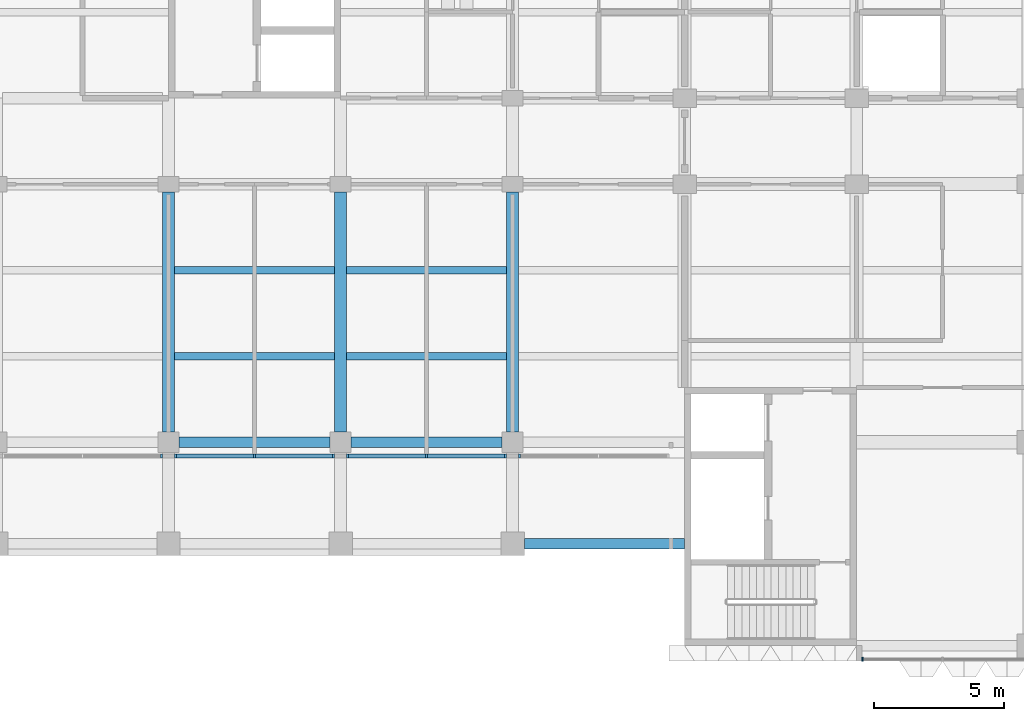
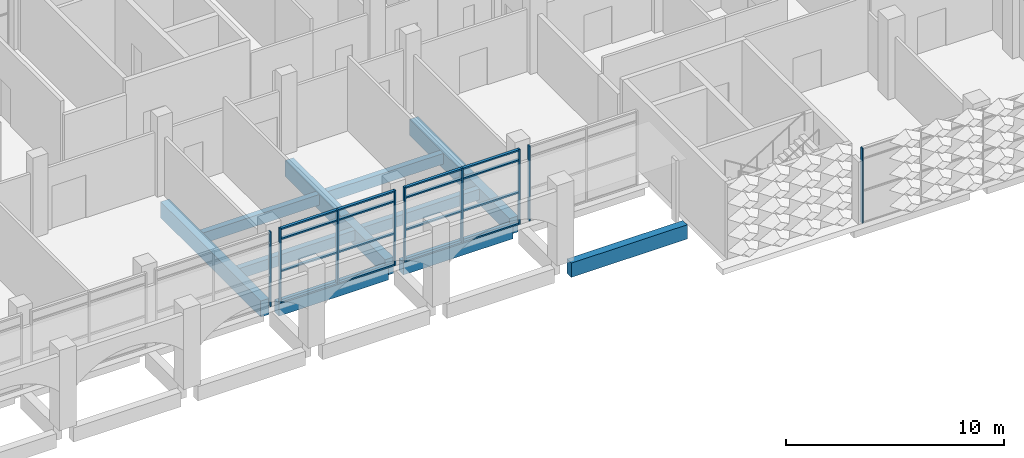
# One storey, part 6 of 87: 25 members, 10 beams, 5 elements without a shape of their own.
"""IFC4 building model written with IfcOpenShell, lengths in metres."""

from ifc_helpers import new_model, si_unit, direction, frame, origin, origin_2d, place, context, subcontext, project, spatial, rectangle, extrude, material, material_profile, profile_set, type_object, element, aggregate, save


model = new_model("IFC4")

# Units and contexts
model_context = context("Model", 3, precision=1e-05, world=origin(), true_north=direction((0.0, 1.0)))
body_context = subcontext(model_context, "Body", "Model", "MODEL_VIEW")
ifc_project = project(units=[si_unit("LENGTHUNIT", "METRE"), si_unit("AREAUNIT", "SQUARE_METRE"), si_unit("VOLUMEUNIT", "CUBIC_METRE"), si_unit("PLANEANGLEUNIT", "RADIAN"), si_unit("MASSUNIT", "GRAM", prefix="KILO")], contexts=[model_context])

# Site, building, storey
site_placement = place(None, origin())
site = spatial("IfcSite", under=ifc_project, at=site_placement, CompositionType="ELEMENT")
building_placement = place(site_placement, origin())
building = spatial("IfcBuilding", under=site, at=building_placement, Name="Lantern Court Research Institute", CompositionType="ELEMENT")
storey_placement = place(building_placement, frame((0.0, 0.0, 5.39990234375)))
storey = spatial("IfcBuildingStorey", under=building, at=storey_placement, Name="L01", CompositionType="ELEMENT", Elevation=5.39990234375)

# Curtain wall, member
ifc_material_1 = material(Name="Aluminium alloy 6063-T6", Category="aluminium")
curtain_wall_type_1 = type_object("IfcCurtainWallType", Name="Curtain wall 20200 x 4200 x 150 aluminium frame", PredefinedType="NOTDEFINED", material=ifc_material_1)
curtain_wall_1_placement = place(storey_placement, origin())
curtain_wall_1 = element("IfcCurtainWall", 1, at=curtain_wall_1_placement, inside=storey, type_object=curtain_wall_type_1, Name="Curtain wall CW033", PredefinedType="NOTDEFINED")
ifc_material_2 = material(Name="Aluminium alloy 6063-T6", Category="aluminium")
ifc_material_profile_1 = material_profile(ifc_material_2, rectangle(XDim=0.14990234375, YDim=0.06005859375, at=origin_2d()), Name="Mullion 150 x 60")
ifc_profile_set_1 = profile_set([ifc_material_profile_1], Name="Aluminium alloy 6063-T6")
member_type_1 = type_object("IfcMemberType", Name="Mullion 150 x 60 aluminium", PredefinedType="MULLION", material=ifc_profile_set_1)
member_1_placement = place(storey_placement, frame((59.6298828125, -8.324951171875, 0.0), z_axis=(0.0, 0.0, 1.0), x_axis=(0.0, -1.0, 0.0)))
member_1 = element("IfcMember", 2, at=member_1_placement, type_object=member_type_1, Name="CW033 mullion 1", PredefinedType="MULLION", context=body_context, shape_type="SweptSolid", body=[
    extrude(rectangle(XDim=0.14990234375, YDim=0.06005859375, at=origin_2d()), origin(), (0.0, 0.0, 1.0), 4.2001953125),
])
aggregate(curtain_wall_1, [member_1])

ifc_material_3 = material(Name="Aluminium alloy 6063-T6", Category="aluminium")
curtain_wall_type_2 = type_object("IfcCurtainWallType", Name="Curtain wall 6150 x 4200 x 150 aluminium frame", PredefinedType="NOTDEFINED", material=ifc_material_3)
curtain_wall_2_placement = place(storey_placement, origin())
curtain_wall_2 = element("IfcCurtainWall", 3, at=curtain_wall_2_placement, inside=storey, type_object=curtain_wall_type_2, Name="Curtain wall CW027", PredefinedType="NOTDEFINED")
ifc_material_4 = material(Name="Aluminium alloy 6063-T6", Category="aluminium")
ifc_material_profile_2 = material_profile(ifc_material_4, rectangle(XDim=0.14990234375, YDim=0.080078125, at=origin_2d()), Name="Mullion 150 x 80")
ifc_profile_set_2 = profile_set([ifc_material_profile_2], Name="Aluminium alloy 6063-T6")
member_type_2 = type_object("IfcMemberType", Name="Mullion 150 x 80 aluminium", PredefinedType="MULLION", material=ifc_profile_set_2)
member_2_placement = place(storey_placement, frame((32.735107421875, -0.52490234375, 0.0), z_axis=(0.0, 0.0, 1.0), x_axis=(0.0, -1.0, 0.0)))
member_2 = element("IfcMember", 4, at=member_2_placement, type_object=member_type_2, Name="CW027 mullion 3", PredefinedType="MULLION", context=body_context, shape_type="SweptSolid", body=[
    extrude(rectangle(XDim=0.14990234375, YDim=0.080078125, at=origin_2d()), origin(), (0.0, 0.0, 1.0), 4.2001953125),
])
aggregate(curtain_wall_2, [member_2])

# Curtain wall, members
curtain_wall_3_placement = place(storey_placement, origin())
curtain_wall_3 = element("IfcCurtainWall", 5, at=curtain_wall_3_placement, inside=storey, type_object=curtain_wall_type_2, Name="Curtain wall CW028", PredefinedType="NOTDEFINED")
member_3_placement = place(storey_placement, frame((33.264892578125, -0.52490234375, 0.0), z_axis=(0.0, 0.0, 1.0), x_axis=(0.0, -1.0, 0.0)))
member_3 = element("IfcMember", 6, at=member_3_placement, type_object=member_type_2, Name="CW028 mullion 1", PredefinedType="MULLION", context=body_context, shape_type="SweptSolid", body=[
    extrude(rectangle(XDim=0.14990234375, YDim=0.080078125, at=origin_2d()), origin(), (0.0, 0.0, 1.0), 4.2001953125),
])
member_4_placement = place(storey_placement, frame((36.300048828125, -0.52490234375, 0.0), z_axis=(0.0, 0.0, 1.0), x_axis=(0.0, -1.0, 0.0)))
member_4 = element("IfcMember", 7, at=member_4_placement, type_object=member_type_2, Name="CW028 mullion 2", PredefinedType="MULLION", context=body_context, shape_type="SweptSolid", body=[
    extrude(rectangle(XDim=0.14990234375, YDim=0.080078125, at=origin_2d()), origin(), (0.0, 0.0, 1.0), 4.2001953125),
])
member_5_placement = place(storey_placement, frame((39.3349609375, -0.52490234375, 0.0), z_axis=(0.0, 0.0, 1.0), x_axis=(0.0, -1.0, 0.0)))
member_5 = element("IfcMember", 8, at=member_5_placement, type_object=member_type_2, Name="CW028 mullion 3", PredefinedType="MULLION", context=body_context, shape_type="SweptSolid", body=[
    extrude(rectangle(XDim=0.14990234375, YDim=0.080078125, at=origin_2d()), origin(), (0.0, 0.0, 1.0), 4.2001953125),
])

curtain_wall_4_placement = place(storey_placement, origin())
curtain_wall_4 = element("IfcCurtainWall", 9, at=curtain_wall_4_placement, inside=storey, type_object=curtain_wall_type_2, Name="Curtain wall CW029", PredefinedType="NOTDEFINED")
member_6_placement = place(storey_placement, frame((39.864990234375, -0.52490234375, 0.0), z_axis=(0.0, 0.0, 1.0), x_axis=(0.0, -1.0, 0.0)))
member_6 = element("IfcMember", 10, at=member_6_placement, type_object=member_type_2, Name="CW029 mullion 1", PredefinedType="MULLION", context=body_context, shape_type="SweptSolid", body=[
    extrude(rectangle(XDim=0.14990234375, YDim=0.080078125, at=origin_2d()), origin(), (0.0, 0.0, 1.0), 4.2001953125),
])
member_7_placement = place(storey_placement, frame((42.89990234375, -0.52490234375, 0.0), z_axis=(0.0, 0.0, 1.0), x_axis=(0.0, -1.0, 0.0)))
member_7 = element("IfcMember", 11, at=member_7_placement, type_object=member_type_2, Name="CW029 mullion 2", PredefinedType="MULLION", context=body_context, shape_type="SweptSolid", body=[
    extrude(rectangle(XDim=0.14990234375, YDim=0.080078125, at=origin_2d()), origin(), (0.0, 0.0, 1.0), 4.2001953125),
])
member_8_placement = place(storey_placement, frame((45.93505859375, -0.52490234375, 0.0), z_axis=(0.0, 0.0, 1.0), x_axis=(0.0, -1.0, 0.0)))
member_8 = element("IfcMember", 12, at=member_8_placement, type_object=member_type_2, Name="CW029 mullion 3", PredefinedType="MULLION", context=body_context, shape_type="SweptSolid", body=[
    extrude(rectangle(XDim=0.14990234375, YDim=0.080078125, at=origin_2d()), origin(), (0.0, 0.0, 1.0), 4.2001953125),
])

# Curtain wall, member
ifc_material_5 = material(Name="Aluminium alloy 6063-T6", Category="aluminium")
curtain_wall_type_3 = type_object("IfcCurtainWallType", Name="Curtain wall 5775 x 4200 x 150 aluminium frame", PredefinedType="NOTDEFINED", material=ifc_material_5)
curtain_wall_5_placement = place(storey_placement, origin())
curtain_wall_5 = element("IfcCurtainWall", 13, at=curtain_wall_5_placement, inside=storey, type_object=curtain_wall_type_3, Name="Curtain wall CW030", PredefinedType="NOTDEFINED")
member_9_placement = place(storey_placement, frame((46.465087890625, -0.52490234375, 0.0), z_axis=(0.0, 0.0, 1.0), x_axis=(0.0, -1.0, 0.0)))
member_9 = element("IfcMember", 14, at=member_9_placement, type_object=member_type_2, Name="CW030 mullion 1", PredefinedType="MULLION", context=body_context, shape_type="SweptSolid", body=[
    extrude(rectangle(XDim=0.14990234375, YDim=0.080078125, at=origin_2d()), origin(), (0.0, 0.0, 1.0), 4.2001953125),
])
aggregate(curtain_wall_5, [member_9])

# Beams
ifc_material_6 = material(Name="Concrete C40/50", Category="concrete")
ifc_material_profile_3 = material_profile(ifc_material_6, rectangle(XDim=0.39990234375, YDim=0.699951171875, at=origin_2d()), Name="RC beam 400 x 700")
ifc_profile_set_3 = profile_set([ifc_material_profile_3], Name="Concrete C40/50")
beam_type_1 = type_object("IfcBeamType", Name="RC edge beam 400 x 700", PredefinedType="BEAM", material=ifc_profile_set_3)
for number, where, z_axis, x_axis, name in (
    (15, (33.39990234375, 0.0, -0.64990234375), (1.0, 0.0, 0.0), (0.0, 1.0, 0.0), "Edge beam L01 grid A/6-7"),
    (16, (40.0, 0.0, -0.64990234375), (1.0, 0.0, 0.0), (0.0, 1.0, 0.0), "Edge beam L01 grid A/7-8"),
):
    element("IfcBeam", number, at=place(storey_placement, frame(where, z_axis=z_axis, x_axis=x_axis)), inside=storey, type_object=beam_type_1, Name=name, PredefinedType="BEAM", context=body_context, shape_type="SweptSolid", body=[
        extrude(rectangle(XDim=0.39990234375, YDim=0.699951171875, at=origin_2d()), origin(), (0.0, 0.0, 1.0), 5.800048828125),
    ])
ifc_material_7 = material(Name="Concrete C40/50", Category="concrete")
ifc_material_profile_4 = material_profile(ifc_material_7, rectangle(XDim=0.449951171875, YDim=0.89990234375, at=origin_2d()), Name="RC beam 450 x 900")
ifc_profile_set_4 = profile_set([ifc_material_profile_4], Name="Concrete C40/50")
beam_type_2 = type_object("IfcBeamType", Name="RC girder 450 x 900", PredefinedType="BEAM", material=ifc_profile_set_4)
for number, where, z_axis, x_axis, name in (
    (17, (33.0, 0.39990234375, -0.75), (0.0, 1.0, 0.0), (-1.0, 0.0, 0.0), "Girder L01 grid 6/A-B"),
    (18, (39.60009765625, 0.39990234375, -0.75), (0.0, 1.0, 0.0), (-1.0, 0.0, 0.0), "Girder L01 grid 7/A-B"),
    (19, (46.199951171875, 0.39990234375, -0.75), (0.0, 1.0, 0.0), (-1.0, 0.0, 0.0), "Girder L01 grid 8/A-B"),
):
    element("IfcBeam", number, at=place(storey_placement, frame(where, z_axis=z_axis, x_axis=x_axis)), inside=storey, type_object=beam_type_2, Name=name, PredefinedType="BEAM", context=body_context, shape_type="SweptSolid", body=[
        extrude(rectangle(XDim=0.449951171875, YDim=0.89990234375, at=origin_2d()), origin(), (0.0, 0.0, 1.0), 9.2001953125),
    ])
ifc_material_8 = material(Name="Concrete C40/50", Category="concrete")
ifc_material_profile_5 = material_profile(ifc_material_8, rectangle(XDim=0.300048828125, YDim=0.60009765625, at=origin_2d()), Name="RC beam 300 x 600")
ifc_profile_set_5 = profile_set([ifc_material_profile_5], Name="Concrete C40/50")
beam_type_3 = type_object("IfcBeamType", Name="RC secondary beam 300 x 600", PredefinedType="BEAM", material=ifc_profile_set_5)
beam_1_placement = place(storey_placement, frame((33.22509765625, 3.300048828125, -0.599853515625), z_axis=(1.0, 0.0, 0.0), x_axis=(0.0, 1.0, 0.0)))
element("IfcBeam", 20, at=beam_1_placement, inside=storey, type_object=beam_type_3, Name="Secondary beam L01 grids 6-7 / A-B, line 1", PredefinedType="BEAM", context=body_context, shape_type="SweptSolid", body=[
    extrude(rectangle(XDim=0.300048828125, YDim=0.60009765625, at=origin_2d()), origin(), (0.0, 0.0, 1.0), 6.14990234375),
])
beam_2_placement = place(storey_placement, frame((39.824951171875, 3.300048828125, -0.599853515625), z_axis=(1.0, 0.0, 0.0), x_axis=(0.0, 1.0, 0.0)))
element("IfcBeam", 21, at=beam_2_placement, inside=storey, type_object=beam_type_3, Name="Secondary beam L01 grids 7-8 / A-B, line 1", PredefinedType="BEAM", context=body_context, shape_type="SweptSolid", body=[
    extrude(rectangle(XDim=0.300048828125, YDim=0.60009765625, at=origin_2d()), origin(), (0.0, 0.0, 1.0), 6.150146484375),
])
beam_3_placement = place(storey_placement, frame((33.22509765625, 6.60009765625, -0.599853515625), z_axis=(1.0, 0.0, 0.0), x_axis=(0.0, 1.0, 0.0)))
element("IfcBeam", 22, at=beam_3_placement, inside=storey, type_object=beam_type_3, Name="Secondary beam L01 grids 6-7 / A-B, line 2", PredefinedType="BEAM", context=body_context, shape_type="SweptSolid", body=[
    extrude(rectangle(XDim=0.300048828125, YDim=0.60009765625, at=origin_2d()), origin(), (0.0, 0.0, 1.0), 6.14990234375),
])
beam_4_placement = place(storey_placement, frame((39.824951171875, 6.60009765625, -0.599853515625), z_axis=(1.0, 0.0, 0.0), x_axis=(0.0, 1.0, 0.0)))
element("IfcBeam", 23, at=beam_4_placement, inside=storey, type_object=beam_type_3, Name="Secondary beam L01 grids 7-8 / A-B, line 2", PredefinedType="BEAM", context=body_context, shape_type="SweptSolid", body=[
    extrude(rectangle(XDim=0.300048828125, YDim=0.60009765625, at=origin_2d()), origin(), (0.0, 0.0, 1.0), 6.150146484375),
])
ifc_material_9 = material(Name="Concrete C40/50", Category="concrete")
ifc_material_profile_6 = material_profile(ifc_material_9, rectangle(XDim=0.39990234375, YDim=0.800048828125, at=origin_2d()), Name="RC beam 400 x 800")
ifc_profile_set_6 = profile_set([ifc_material_profile_6], Name="Concrete C40/50")
beam_type_4 = type_object("IfcBeamType", Name="RC tie beam 400 x 800", PredefinedType="BEAM", material=ifc_profile_set_6)
beam_5_placement = place(storey_placement, frame((46.64990234375, -3.89990234375, -0.699951171875), z_axis=(1.0, 0.0, 0.0), x_axis=(0.0, 1.0, 0.0)))
element("IfcBeam", 24, at=beam_5_placement, inside=storey, type_object=beam_type_4, Name="Tie beam L01 grid Y/8-9", PredefinedType="BEAM", context=body_context, shape_type="SweptSolid", body=[
    extrude(rectangle(XDim=0.39990234375, YDim=0.800048828125, at=origin_2d()), origin(), (0.0, 0.0, 1.0), 6.150146484375),
])

# Member
ifc_material_10 = material(Name="Aluminium alloy 6063-T6", Category="aluminium")
ifc_material_profile_7 = material_profile(ifc_material_10, rectangle(XDim=0.14990234375, YDim=0.080078125, at=origin_2d()), Name="Transom 150 x 80")
ifc_profile_set_7 = profile_set([ifc_material_profile_7], Name="Aluminium alloy 6063-T6")
member_type_3 = type_object("IfcMemberType", Name="Transom 150 x 80 aluminium", PredefinedType="USERDEFINED", material=ifc_profile_set_7)
member_10_placement = place(storey_placement, frame((36.260009765625, -0.52490234375, 0.0400390625), z_axis=(-1.0, 0.0, 0.0), x_axis=(0.0, -1.0, 0.0)))
member_10 = element("IfcMember", 25, at=member_10_placement, type_object=member_type_3, Name="CW028 transom 1.1", ObjectType="TRANSOM", PredefinedType="USERDEFINED", context=body_context, shape_type="SweptSolid", body=[
    extrude(rectangle(XDim=0.14990234375, YDim=0.080078125, at=origin_2d()), origin(), (0.0, 0.0, 1.0), 2.955078125),
])

member_11_placement = place(storey_placement, frame((36.260009765625, -0.52490234375, 1.800048828125), z_axis=(-1.0, 0.0, 0.0), x_axis=(0.0, -1.0, 0.0)))
member_11 = element("IfcMember", 26, at=member_11_placement, type_object=member_type_3, Name="CW028 transom 1.2", ObjectType="TRANSOM", PredefinedType="USERDEFINED", context=body_context, shape_type="SweptSolid", body=[
    extrude(rectangle(XDim=0.14990234375, YDim=0.080078125, at=origin_2d()), origin(), (0.0, 0.0, 1.0), 2.955078125),
])

member_12_placement = place(storey_placement, frame((36.260009765625, -0.52490234375, 3.60009765625), z_axis=(-1.0, 0.0, 0.0), x_axis=(0.0, -1.0, 0.0)))
member_12 = element("IfcMember", 27, at=member_12_placement, type_object=member_type_3, Name="CW028 transom 1.3", ObjectType="TRANSOM", PredefinedType="USERDEFINED", context=body_context, shape_type="SweptSolid", body=[
    extrude(rectangle(XDim=0.14990234375, YDim=0.080078125, at=origin_2d()), origin(), (0.0, 0.0, 1.0), 2.955078125),
])

member_13_placement = place(storey_placement, frame((36.260009765625, -0.52490234375, 4.16015625), z_axis=(-1.0, 0.0, 0.0), x_axis=(0.0, -1.0, 0.0)))
member_13 = element("IfcMember", 28, at=member_13_placement, type_object=member_type_3, Name="CW028 transom 1.4", ObjectType="TRANSOM", PredefinedType="USERDEFINED", context=body_context, shape_type="SweptSolid", body=[
    extrude(rectangle(XDim=0.14990234375, YDim=0.080078125, at=origin_2d()), origin(), (0.0, 0.0, 1.0), 2.955078125),
])

member_14_placement = place(storey_placement, frame((39.294921875, -0.52490234375, 0.0400390625), z_axis=(-1.0, 0.0, 0.0), x_axis=(0.0, -1.0, 0.0)))
member_14 = element("IfcMember", 29, at=member_14_placement, type_object=member_type_3, Name="CW028 transom 2.1", ObjectType="TRANSOM", PredefinedType="USERDEFINED", context=body_context, shape_type="SweptSolid", body=[
    extrude(rectangle(XDim=0.14990234375, YDim=0.080078125, at=origin_2d()), origin(), (0.0, 0.0, 1.0), 2.954833984375),
])

member_15_placement = place(storey_placement, frame((39.294921875, -0.52490234375, 1.800048828125), z_axis=(-1.0, 0.0, 0.0), x_axis=(0.0, -1.0, 0.0)))
member_15 = element("IfcMember", 30, at=member_15_placement, type_object=member_type_3, Name="CW028 transom 2.2", ObjectType="TRANSOM", PredefinedType="USERDEFINED", context=body_context, shape_type="SweptSolid", body=[
    extrude(rectangle(XDim=0.14990234375, YDim=0.080078125, at=origin_2d()), origin(), (0.0, 0.0, 1.0), 2.954833984375),
])

member_16_placement = place(storey_placement, frame((39.294921875, -0.52490234375, 3.60009765625), z_axis=(-1.0, 0.0, 0.0), x_axis=(0.0, -1.0, 0.0)))
member_16 = element("IfcMember", 31, at=member_16_placement, type_object=member_type_3, Name="CW028 transom 2.3", ObjectType="TRANSOM", PredefinedType="USERDEFINED", context=body_context, shape_type="SweptSolid", body=[
    extrude(rectangle(XDim=0.14990234375, YDim=0.080078125, at=origin_2d()), origin(), (0.0, 0.0, 1.0), 2.954833984375),
])

member_17_placement = place(storey_placement, frame((39.294921875, -0.52490234375, 4.16015625), z_axis=(-1.0, 0.0, 0.0), x_axis=(0.0, -1.0, 0.0)))
member_17 = element("IfcMember", 32, at=member_17_placement, type_object=member_type_3, Name="CW028 transom 2.4", ObjectType="TRANSOM", PredefinedType="USERDEFINED", context=body_context, shape_type="SweptSolid", body=[
    extrude(rectangle(XDim=0.14990234375, YDim=0.080078125, at=origin_2d()), origin(), (0.0, 0.0, 1.0), 2.954833984375),
])

aggregate(curtain_wall_3, [member_3, member_4, member_5, member_10, member_11, member_12, member_13, member_14, member_15, member_16, member_17])

member_18_placement = place(storey_placement, frame((42.860107421875, -0.52490234375, 0.0400390625), z_axis=(-1.0, 0.0, 0.0), x_axis=(0.0, -1.0, 0.0)))
member_18 = element("IfcMember", 33, at=member_18_placement, type_object=member_type_3, Name="CW029 transom 1.1", ObjectType="TRANSOM", PredefinedType="USERDEFINED", context=body_context, shape_type="SweptSolid", body=[
    extrude(rectangle(XDim=0.14990234375, YDim=0.080078125, at=origin_2d()), origin(), (0.0, 0.0, 1.0), 2.955078125),
])

member_19_placement = place(storey_placement, frame((42.860107421875, -0.52490234375, 1.800048828125), z_axis=(-1.0, 0.0, 0.0), x_axis=(0.0, -1.0, 0.0)))
member_19 = element("IfcMember", 34, at=member_19_placement, type_object=member_type_3, Name="CW029 transom 1.2", ObjectType="TRANSOM", PredefinedType="USERDEFINED", context=body_context, shape_type="SweptSolid", body=[
    extrude(rectangle(XDim=0.14990234375, YDim=0.080078125, at=origin_2d()), origin(), (0.0, 0.0, 1.0), 2.955078125),
])

member_20_placement = place(storey_placement, frame((42.860107421875, -0.52490234375, 3.60009765625), z_axis=(-1.0, 0.0, 0.0), x_axis=(0.0, -1.0, 0.0)))
member_20 = element("IfcMember", 35, at=member_20_placement, type_object=member_type_3, Name="CW029 transom 1.3", ObjectType="TRANSOM", PredefinedType="USERDEFINED", context=body_context, shape_type="SweptSolid", body=[
    extrude(rectangle(XDim=0.14990234375, YDim=0.080078125, at=origin_2d()), origin(), (0.0, 0.0, 1.0), 2.955078125),
])

member_21_placement = place(storey_placement, frame((42.860107421875, -0.52490234375, 4.16015625), z_axis=(-1.0, 0.0, 0.0), x_axis=(0.0, -1.0, 0.0)))
member_21 = element("IfcMember", 36, at=member_21_placement, type_object=member_type_3, Name="CW029 transom 1.4", ObjectType="TRANSOM", PredefinedType="USERDEFINED", context=body_context, shape_type="SweptSolid", body=[
    extrude(rectangle(XDim=0.14990234375, YDim=0.080078125, at=origin_2d()), origin(), (0.0, 0.0, 1.0), 2.955078125),
])

member_22_placement = place(storey_placement, frame((45.89501953125, -0.52490234375, 0.0400390625), z_axis=(-1.0, 0.0, 0.0), x_axis=(0.0, -1.0, 0.0)))
member_22 = element("IfcMember", 37, at=member_22_placement, type_object=member_type_3, Name="CW029 transom 2.1", ObjectType="TRANSOM", PredefinedType="USERDEFINED", context=body_context, shape_type="SweptSolid", body=[
    extrude(rectangle(XDim=0.14990234375, YDim=0.080078125, at=origin_2d()), origin(), (0.0, 0.0, 1.0), 2.955078125),
])

member_23_placement = place(storey_placement, frame((45.89501953125, -0.52490234375, 1.800048828125), z_axis=(-1.0, 0.0, 0.0), x_axis=(0.0, -1.0, 0.0)))
member_23 = element("IfcMember", 38, at=member_23_placement, type_object=member_type_3, Name="CW029 transom 2.2", ObjectType="TRANSOM", PredefinedType="USERDEFINED", context=body_context, shape_type="SweptSolid", body=[
    extrude(rectangle(XDim=0.14990234375, YDim=0.080078125, at=origin_2d()), origin(), (0.0, 0.0, 1.0), 2.955078125),
])

member_24_placement = place(storey_placement, frame((45.89501953125, -0.52490234375, 3.60009765625), z_axis=(-1.0, 0.0, 0.0), x_axis=(0.0, -1.0, 0.0)))
member_24 = element("IfcMember", 39, at=member_24_placement, type_object=member_type_3, Name="CW029 transom 2.3", ObjectType="TRANSOM", PredefinedType="USERDEFINED", context=body_context, shape_type="SweptSolid", body=[
    extrude(rectangle(XDim=0.14990234375, YDim=0.080078125, at=origin_2d()), origin(), (0.0, 0.0, 1.0), 2.955078125),
])

member_25_placement = place(storey_placement, frame((45.89501953125, -0.52490234375, 4.16015625), z_axis=(-1.0, 0.0, 0.0), x_axis=(0.0, -1.0, 0.0)))
member_25 = element("IfcMember", 40, at=member_25_placement, type_object=member_type_3, Name="CW029 transom 2.4", ObjectType="TRANSOM", PredefinedType="USERDEFINED", context=body_context, shape_type="SweptSolid", body=[
    extrude(rectangle(XDim=0.14990234375, YDim=0.080078125, at=origin_2d()), origin(), (0.0, 0.0, 1.0), 2.955078125),
])

aggregate(curtain_wall_4, [member_6, member_7, member_8, member_18, member_19, member_20, member_21, member_22, member_23, member_24, member_25])

save(model, "model.ifc")
